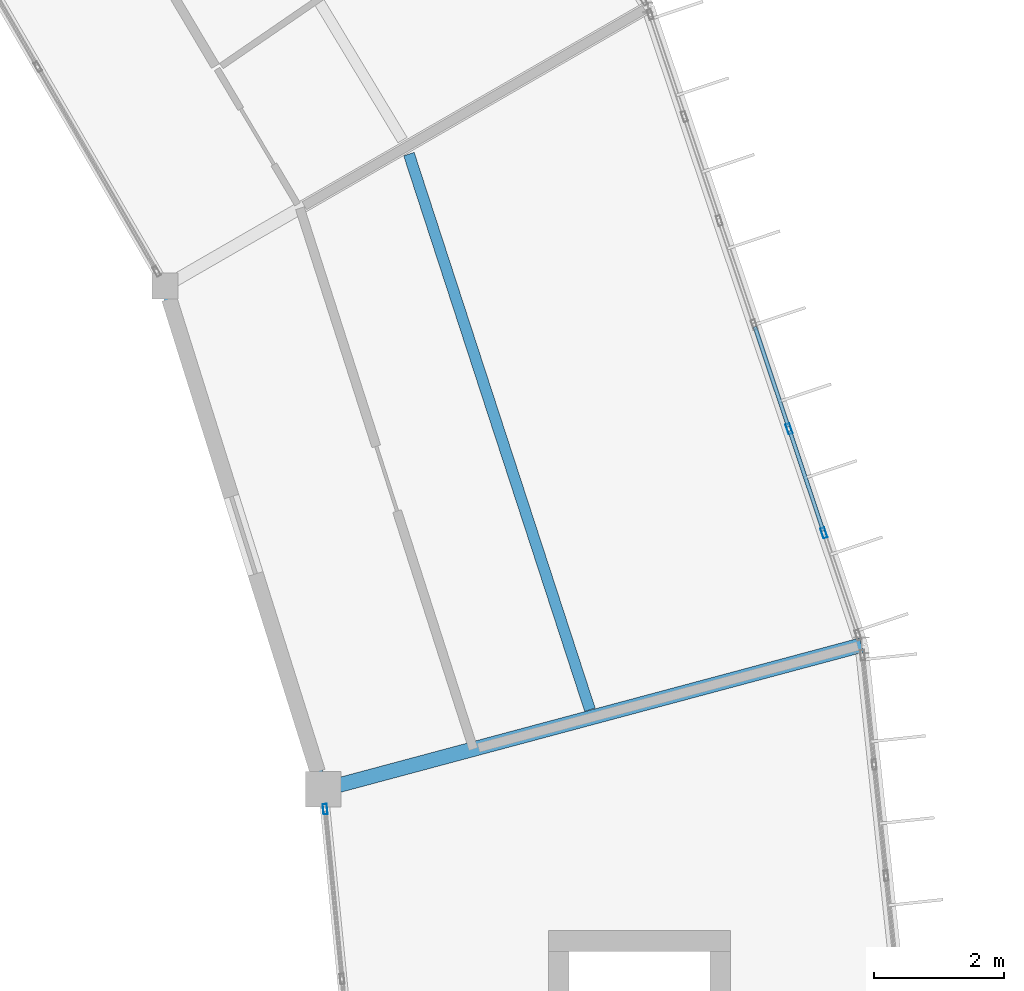
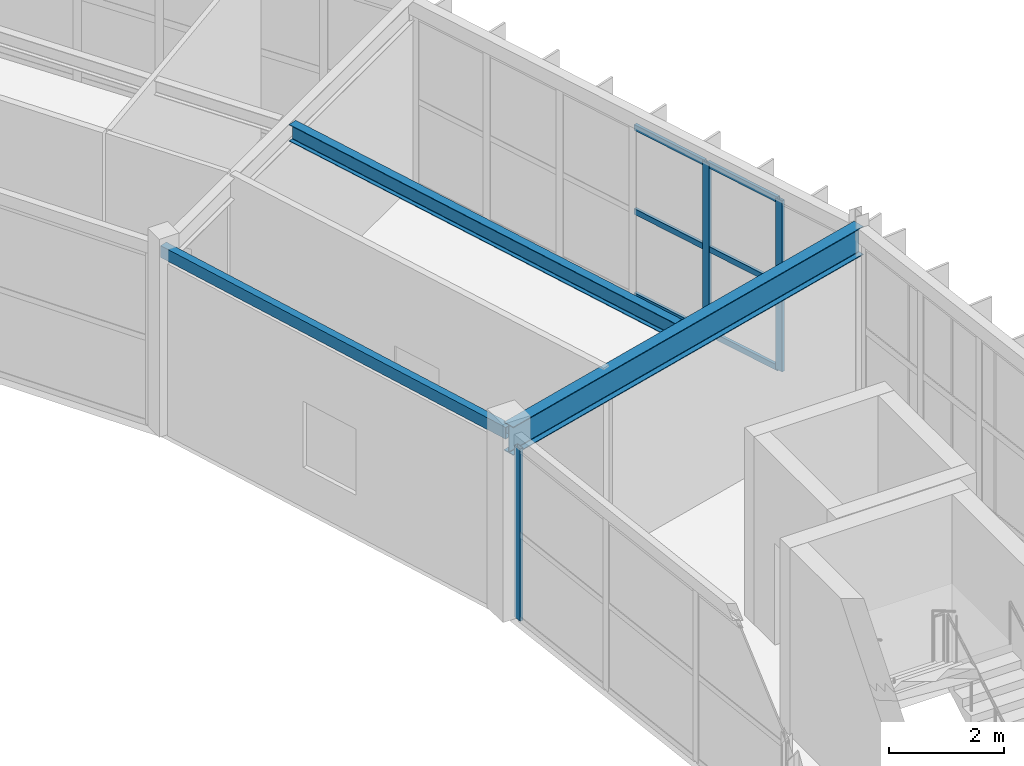
# One storey, part 62 of 134: 9 members, 3 beams, 2 elements without a shape of their own.
"""IFC4 building model written with IfcOpenShell, lengths in metres."""

from ifc_helpers import new_model, si_unit, direction, frame, origin, origin_2d, place, context, subcontext, project, spatial, hollow_rectangle, i_section, extrude, material, material_profile, profile_set, type_object, element, aggregate, save


model = new_model("IFC4")

# Units and contexts
model_context = context("Model", 3, precision=1e-05, world=origin(), true_north=direction((0.0, 1.0)))
body_context = subcontext(model_context, "Body", "Model", "MODEL_VIEW")
ifc_project = project(units=[si_unit("LENGTHUNIT", "METRE"), si_unit("AREAUNIT", "SQUARE_METRE"), si_unit("VOLUMEUNIT", "CUBIC_METRE"), si_unit("PLANEANGLEUNIT", "RADIAN"), si_unit("MASSUNIT", "GRAM", prefix="KILO")], contexts=[model_context])

# Site, building, storey
site_placement = place(None, origin())
site = spatial("IfcSite", under=ifc_project, at=site_placement, CompositionType="ELEMENT")
building_placement = place(site_placement, origin())
building = spatial("IfcBuilding", under=site, at=building_placement, Name="Karori Crest Natural Sciences Institute", CompositionType="ELEMENT")
storey_placement = place(building_placement, frame((0.0, 0.0, 21.699951171875)))
storey = spatial("IfcBuildingStorey", under=building, at=storey_placement, Name="L05", CompositionType="ELEMENT", Elevation=21.699951171875)

# Beams
ifc_material_1 = material(Name="Hollow structural steel AS/NZS 1163 Grade C350", Category="steel")
ifc_material_profile_1 = material_profile(ifc_material_1, hollow_rectangle(XDim=0.14990234375, YDim=0.25, WallThickness=0.009033203125, at=origin_2d()), Name="RHS250x150x9")
ifc_profile_set_1 = profile_set([ifc_material_profile_1], Name="Hollow structural steel AS/NZS 1163 Grade C350")
beam_type_1 = type_object("IfcBeamType", Name="BT-16", PredefinedType="SPANDREL", material=ifc_profile_set_1)
beam_1_placement = place(storey_placement, frame((89.968505859375, 58.23388671875, 3.7900390625), z_axis=(-0.299460006143, 0.954108853706, 0.0), x_axis=(-0.954108853706, -0.299460006143, 0.0)))
element("IfcBeam", 1, at=beam_1_placement, inside=storey, type_object=beam_type_1, Name="Beam B-0544", PredefinedType="SPANDREL", context=body_context, shape_type="SweptSolid", body=[
    extrude(hollow_rectangle(XDim=0.14990234375, YDim=0.25, WallThickness=0.009033203125, at=origin_2d()), origin(), (0.0, 0.0, 1.0), 8.1396484375),
])
ifc_material_2 = material(Name="Structural steel AS/NZS 3679.1 Grade 350", Category="steel")
ifc_material_profile_2 = material_profile(ifc_material_2, i_section(OverallWidth=0.22802734375, OverallDepth=0.60205078125, WebThickness=0.010498046875, FlangeThickness=0.014892578125, FilletRadius=0.013916015625, at=origin_2d()), Name="610UB101")
ifc_profile_set_2 = profile_set([ifc_material_profile_2], Name="Structural steel AS/NZS 3679.1 Grade 350")
beam_type_2 = type_object("IfcBeamType", Name="BT-27", PredefinedType="BEAM", material=ifc_profile_set_2)
beam_2_placement = place(storey_placement, frame((89.968505859375, 58.23388671875, 3.63916015625), z_axis=(0.96592752402, 0.258812709002, 0.0), x_axis=(-0.258812709002, 0.96592752402, 0.0)))
element("IfcBeam", 2, at=beam_2_placement, inside=storey, type_object=beam_type_2, Name="Beam B-0545", PredefinedType="BEAM", context=body_context, shape_type="SweptSolid", body=[
    extrude(i_section(OverallWidth=0.22802734375, OverallDepth=0.60205078125, WebThickness=0.010498046875, FlangeThickness=0.014892578125, FilletRadius=0.013916015625, at=origin_2d()), origin(), (0.0, 0.0, 1.0), 8.60009765625),
])
ifc_material_profile_3 = material_profile(ifc_material_2, i_section(OverallWidth=0.1708984375, OverallDepth=0.35595703125, WebThickness=0.00732421875, FlangeThickness=0.011474609375, FilletRadius=0.010986328125, at=origin_2d()), Name="360UB50.7")
ifc_profile_set_3 = profile_set([ifc_material_profile_3], Name="Structural steel AS/NZS 3679.1 Grade 350")
beam_type_3 = type_object("IfcBeamType", Name="BT-30", PredefinedType="BEAM", material=ifc_profile_set_3)
beam_3_placement = place(storey_placement, frame((94.0849609375, 59.4609375, 3.761962890625), z_axis=(-0.309698753032, 0.950834729262, 0.0), x_axis=(-0.950834729262, -0.309698753032, 0.0)))
element("IfcBeam", 3, at=beam_3_placement, inside=storey, type_object=beam_type_3, Name="Beam B-0546", PredefinedType="BEAM", context=body_context, shape_type="SweptSolid", body=[
    extrude(i_section(OverallWidth=0.1708984375, OverallDepth=0.35595703125, WebThickness=0.00732421875, FlangeThickness=0.011474609375, FilletRadius=0.010986328125, at=origin_2d()), origin(), (0.0, 0.0, 1.0), 9.018310546875),
])

# Curtain wall, member
ifc_material_3 = material(Name="Anodised architectural aluminium 6063-T6", Category="aluminium")
curtain_wall_type_1 = type_object("IfcCurtainWallType", Name="CWT-11", PredefinedType="NOTDEFINED", material=ifc_material_3)
curtain_wall_1_placement = place(storey_placement, origin())
curtain_wall_1 = element("IfcCurtainWall", 4, at=curtain_wall_1_placement, inside=storey, type_object=curtain_wall_type_1, Name="Curtain wall CW-0173", PredefinedType="NOTDEFINED")
ifc_material_profile_4 = material_profile(ifc_material_3, hollow_rectangle(XDim=0.06494140625, YDim=0.159912109375, WallThickness=0.00390625, at=origin_2d()), Name="CWM160x65x4")
ifc_profile_set_4 = profile_set([ifc_material_profile_4], Name="Anodised architectural aluminium 6063-T6")
member_type_1 = type_object("IfcMemberType", Name="CWM-01", PredefinedType="MULLION", material=ifc_profile_set_4)
member_1_placement = place(storey_placement, frame((89.9990234375, 57.9287109375, 0.0), z_axis=(0.0, 0.0, 1.0), x_axis=(-0.995060684604, -0.099268494275, 0.0)))
member_1 = element("IfcMember", 5, at=member_1_placement, type_object=member_type_1, Name="CW-0173 mullion 4", PredefinedType="MULLION", context=body_context, shape_type="SweptSolid", body=[
    extrude(hollow_rectangle(XDim=0.06494140625, YDim=0.159912109375, WallThickness=0.00390625, at=origin_2d()), origin(), (0.0, 0.0, 1.0), 3.650146484375),
])
aggregate(curtain_wall_1, [member_1])

# Curtain wall, members
curtain_wall_type_2 = type_object("IfcCurtainWallType", Name="CWT-02", PredefinedType="NOTDEFINED", material=ifc_material_3)
curtain_wall_2_placement = place(storey_placement, origin())
curtain_wall_2 = element("IfcCurtainWall", 6, at=curtain_wall_2_placement, inside=storey, type_object=curtain_wall_type_2, Name="Curtain wall CW-0174", PredefinedType="NOTDEFINED")
member_2_placement = place(storey_placement, frame((97.157470703125, 63.796875, 0.0), z_axis=(0.0, 0.0, 1.0), x_axis=(0.94819805026, 0.317679803392, 0.0)))
member_2 = element("IfcMember", 7, at=member_2_placement, type_object=member_type_1, Name="CW-0174 mullion 5", PredefinedType="MULLION", context=body_context, shape_type="SweptSolid", body=[
    extrude(hollow_rectangle(XDim=0.06494140625, YDim=0.159912109375, WallThickness=0.00390625, at=origin_2d()), origin(), (0.0, 0.0, 1.0), 3.625),
])
member_3_placement = place(storey_placement, frame((97.695556640625, 62.19091796875, 0.0), z_axis=(0.0, 0.0, 1.0), x_axis=(0.94819805026, 0.317679803392, 0.0)))
member_3 = element("IfcMember", 8, at=member_3_placement, type_object=member_type_1, Name="CW-0174 mullion 6", PredefinedType="MULLION", context=body_context, shape_type="SweptSolid", body=[
    extrude(hollow_rectangle(XDim=0.06494140625, YDim=0.159912109375, WallThickness=0.00390625, at=origin_2d()), origin(), (0.0, 0.0, 1.0), 3.625),
])
ifc_material_profile_5 = material_profile(ifc_material_3, hollow_rectangle(XDim=0.06005859375, YDim=0.1201171875, WallThickness=0.00390625, at=origin_2d()), Name="CWT120x60x4")
ifc_profile_set_5 = profile_set([ifc_material_profile_5], Name="Anodised architectural aluminium 6063-T6")
member_type_2 = type_object("IfcMemberType", Name="CWT-TR1", PredefinedType="USERDEFINED", material=ifc_profile_set_5)
member_4_placement = place(storey_placement, frame((96.6298828125, 65.3720703125, 0.030029296875), z_axis=(0.317621421426, -0.948217608279, 0.0), x_axis=(0.948217608279, 0.317621421426, 0.0)))
member_4 = element("IfcMember", 9, at=member_4_placement, type_object=member_type_2, Name="CW-0174 transom 4.1", ObjectType="TRANSOM", PredefinedType="USERDEFINED", context=body_context, shape_type="SweptSolid", body=[
    extrude(hollow_rectangle(XDim=0.06005859375, YDim=0.1201171875, WallThickness=0.00390625, at=origin_2d()), origin(), (0.0, 0.0, 1.0), 1.628662109375),
])
member_5_placement = place(storey_placement, frame((96.6298828125, 65.3720703125, 1.8125), z_axis=(0.317621421426, -0.948217608279, 0.0), x_axis=(0.948217608279, 0.317621421426, 0.0)))
member_5 = element("IfcMember", 10, at=member_5_placement, type_object=member_type_2, Name="CW-0174 transom 4.2", ObjectType="TRANSOM", PredefinedType="USERDEFINED", context=body_context, shape_type="SweptSolid", body=[
    extrude(hollow_rectangle(XDim=0.06005859375, YDim=0.1201171875, WallThickness=0.00390625, at=origin_2d()), origin(), (0.0, 0.0, 1.0), 1.628662109375),
])
member_6_placement = place(storey_placement, frame((96.6298828125, 65.3720703125, 3.594970703125), z_axis=(0.317621421426, -0.948217608279, 0.0), x_axis=(0.948217608279, 0.317621421426, 0.0)))
member_6 = element("IfcMember", 11, at=member_6_placement, type_object=member_type_2, Name="CW-0174 transom 4.3", ObjectType="TRANSOM", PredefinedType="USERDEFINED", context=body_context, shape_type="SweptSolid", body=[
    extrude(hollow_rectangle(XDim=0.06005859375, YDim=0.1201171875, WallThickness=0.00390625, at=origin_2d()), origin(), (0.0, 0.0, 1.0), 1.628662109375),
])
member_7_placement = place(storey_placement, frame((97.16796875, 63.76611328125, 0.030029296875), z_axis=(0.317621421426, -0.948217608279, 0.0), x_axis=(0.948217608279, 0.317621421426, 0.0)))
member_7 = element("IfcMember", 12, at=member_7_placement, type_object=member_type_2, Name="CW-0174 transom 5.1", ObjectType="TRANSOM", PredefinedType="USERDEFINED", context=body_context, shape_type="SweptSolid", body=[
    extrude(hollow_rectangle(XDim=0.06005859375, YDim=0.1201171875, WallThickness=0.00390625, at=origin_2d()), origin(), (0.0, 0.0, 1.0), 1.628662109375),
])
member_8_placement = place(storey_placement, frame((97.16796875, 63.76611328125, 1.8125), z_axis=(0.317621421426, -0.948217608279, 0.0), x_axis=(0.948217608279, 0.317621421426, 0.0)))
member_8 = element("IfcMember", 13, at=member_8_placement, type_object=member_type_2, Name="CW-0174 transom 5.2", ObjectType="TRANSOM", PredefinedType="USERDEFINED", context=body_context, shape_type="SweptSolid", body=[
    extrude(hollow_rectangle(XDim=0.06005859375, YDim=0.1201171875, WallThickness=0.00390625, at=origin_2d()), origin(), (0.0, 0.0, 1.0), 1.628662109375),
])
member_9_placement = place(storey_placement, frame((97.16796875, 63.76611328125, 3.594970703125), z_axis=(0.317621421426, -0.948217608279, 0.0), x_axis=(0.948217608279, 0.317621421426, 0.0)))
member_9 = element("IfcMember", 14, at=member_9_placement, type_object=member_type_2, Name="CW-0174 transom 5.3", ObjectType="TRANSOM", PredefinedType="USERDEFINED", context=body_context, shape_type="SweptSolid", body=[
    extrude(hollow_rectangle(XDim=0.06005859375, YDim=0.1201171875, WallThickness=0.00390625, at=origin_2d()), origin(), (0.0, 0.0, 1.0), 1.628662109375),
])
aggregate(curtain_wall_2, [member_2, member_3, member_4, member_5, member_6, member_7, member_8, member_9])

save(model, "model.ifc")
